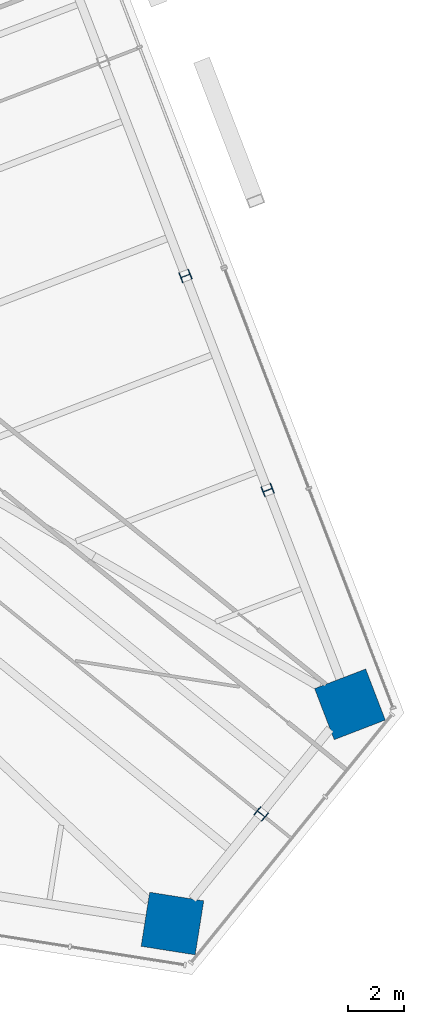
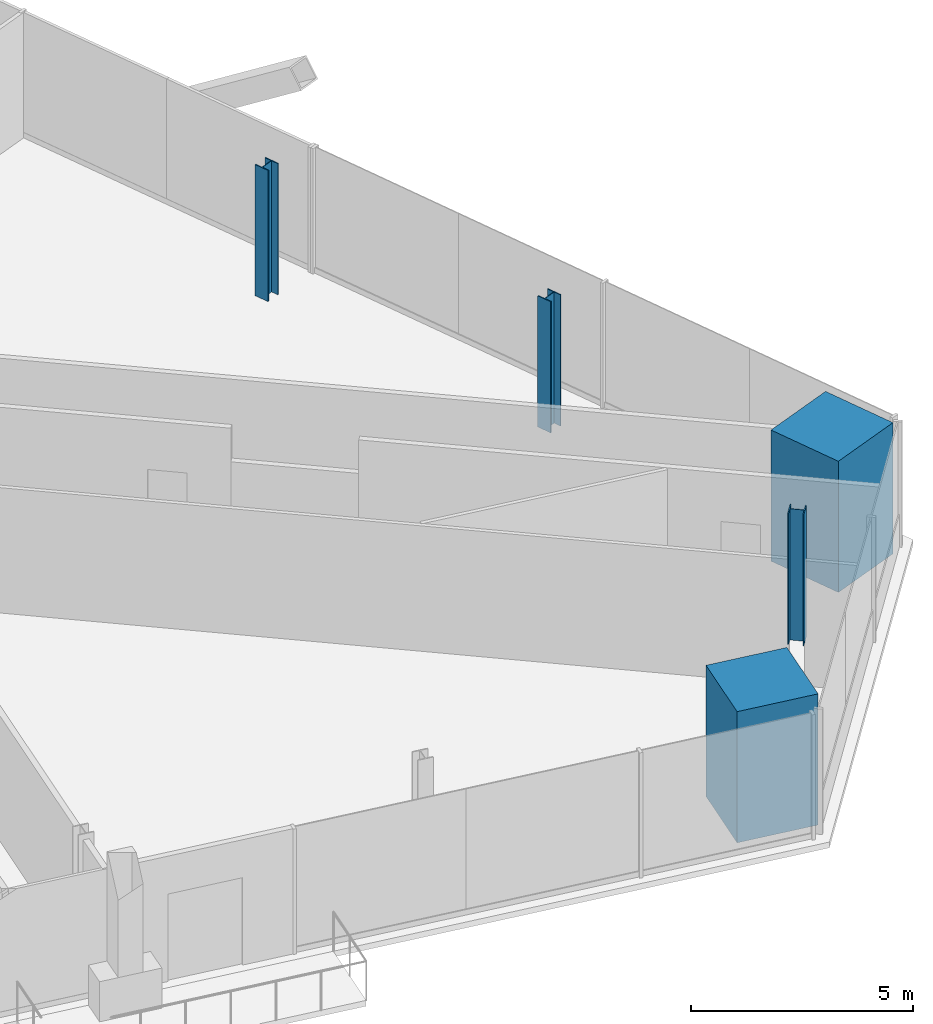
# One storey, part 2 of 18: 5 columns.
"""IFC4 building model written with IfcOpenShell, lengths in metres."""

from ifc_helpers import new_model, si_unit, direction, frame, origin, origin_2d, place, context, subcontext, project, spatial, rectangle, i_section, extrude, source, transform, mapped, material, material_profile, profile_set, type_object, element, save


model = new_model("IFC4")

# Units and contexts
model_context = context("Model", 3, precision=1e-05, world=origin(), true_north=direction((0.0, 1.0)))
body_context = subcontext(model_context, "Body", "Model", "MODEL_VIEW")
ifc_project = project(units=[si_unit("LENGTHUNIT", "METRE"), si_unit("AREAUNIT", "SQUARE_METRE"), si_unit("VOLUMEUNIT", "CUBIC_METRE"), si_unit("PLANEANGLEUNIT", "RADIAN"), si_unit("MASSUNIT", "GRAM", prefix="KILO")], contexts=[model_context])

# Site, building, storey
site_placement = place(None, origin())
site = spatial("IfcSite", under=ifc_project, at=site_placement, CompositionType="ELEMENT")
building_placement = place(site_placement, origin())
building = spatial("IfcBuilding", under=site, at=building_placement, Name="Triune Harvest Tower", CompositionType="ELEMENT")
storey_placement = place(building_placement, frame((0.0, 0.0, 156.89990234375)))
storey = spatial("IfcBuildingStorey", under=building, at=storey_placement, Name="L40", CompositionType="ELEMENT", Elevation=156.89990234375)

# Columns
ifc_material_1 = material(Name="Concrete 70 MPa", Category="concrete")
ifc_material_profile_1 = material_profile(ifc_material_1, rectangle(XDim=1.949951171875, YDim=1.949951171875, at=origin_2d()), Name="Composite 1950x1950")
ifc_profile_set_1 = profile_set([ifc_material_profile_1], Name="Concrete 70 MPa")
column_type_1 = type_object("IfcColumnType", Name="MC-4 Mega column Composite 1950x1950", PredefinedType="COLUMN", material=ifc_profile_set_1)
shared_shape_1 = source(origin(), body_context, "Body", "SweptSolid", [
    extrude(rectangle(XDim=1.949951171875, YDim=1.949951171875, at=origin_2d()), origin(), (0.0, 0.0, 1.0), 3.60009765625),
])
for number, where, z_axis, x_axis, name in (
    (1, (27.425048828125, -15.742431640625, 0.0), (0.0, 0.0, 1.0), (-0.358367949545, 0.933580426497, 0.0), "col/L40/M0"),
    (2, (21.100341796875, -23.552734375, 0.0), (0.0, 0.0, 1.0), (0.987688340595, -0.15643446504, 0.0), "col/L40/M22"),
):
    element("IfcColumn", number, at=place(storey_placement, frame(where, z_axis=z_axis, x_axis=x_axis)), inside=storey, type_object=column_type_1, Name=name, PredefinedType="COLUMN", context=body_context, shape_type="MappedRepresentation", body=[
        mapped(shared_shape_1, transform((0.0, 0.0, 0.0), scale=1.0)),
    ])
ifc_material_2 = material(Name="Steel ASTM A992 Gr 50", Category="steel")
ifc_material_profile_2 = material_profile(ifc_material_2, i_section(OverallWidth=0.373291015625, OverallDepth=0.373291015625, WebThickness=0.016357421875, FlangeThickness=0.026123046875, at=origin_2d()), Name="W14x132")
ifc_profile_set_2 = profile_set([ifc_material_profile_2], Name="Steel ASTM A992 Gr 50")
column_type_2 = type_object("IfcColumnType", Name="PC-4 Perimeter column W14x132", PredefinedType="COLUMN", material=ifc_profile_set_2)
shared_shape_2 = source(origin(), body_context, "Body", "SweptSolid", [
    extrude(i_section(OverallWidth=0.373291015625, OverallDepth=0.373291015625, WebThickness=0.016357421875, FlangeThickness=0.026123046875, at=origin_2d()), origin(), (0.0, 0.0, 1.0), 3.60009765625),
])
for number, where, z_axis, x_axis, name in (
    (3, (24.495361328125, -8.1103515625, 0.0), (0.0, 0.0, 1.0), (-0.358367949545, 0.933580426497, 0.0), "col/L40/P1"),
    (4, (21.565673828125, -0.478271484375, 0.0), (0.0, 0.0, 1.0), (-0.358367949545, 0.933580426497, 0.0), "col/L40/P2"),
):
    element("IfcColumn", number, at=place(storey_placement, frame(where, z_axis=z_axis, x_axis=x_axis)), inside=storey, type_object=column_type_2, Name=name, PredefinedType="COLUMN", context=body_context, shape_type="MappedRepresentation", body=[
        mapped(shared_shape_2, transform((0.0, 0.0, 0.0), scale=1.0)),
    ])
shared_shape_3 = source(origin(), body_context, "Body", "SweptSolid", [
    extrude(i_section(OverallWidth=0.373291015625, OverallDepth=0.373291015625, WebThickness=0.016357421875, FlangeThickness=0.026123046875, at=origin_2d()), origin(), (0.0, 0.0, 1.0), 3.599853515625),
])
column_placement = place(storey_placement, frame((24.2626953125, -19.647705078125, 1.2001953125), z_axis=(0.0, 0.0, 1.0), x_axis=(0.629321747424, 0.777144863084, 0.0)))
element("IfcColumn", 5, at=column_placement, inside=storey, type_object=column_type_2, Name="col/L40/P23", PredefinedType="COLUMN", context=body_context, shape_type="MappedRepresentation", body=[
    mapped(shared_shape_3, transform((0.0, 0.0, 0.0), scale=1.0)),
])

save(model, "model.ifc")
